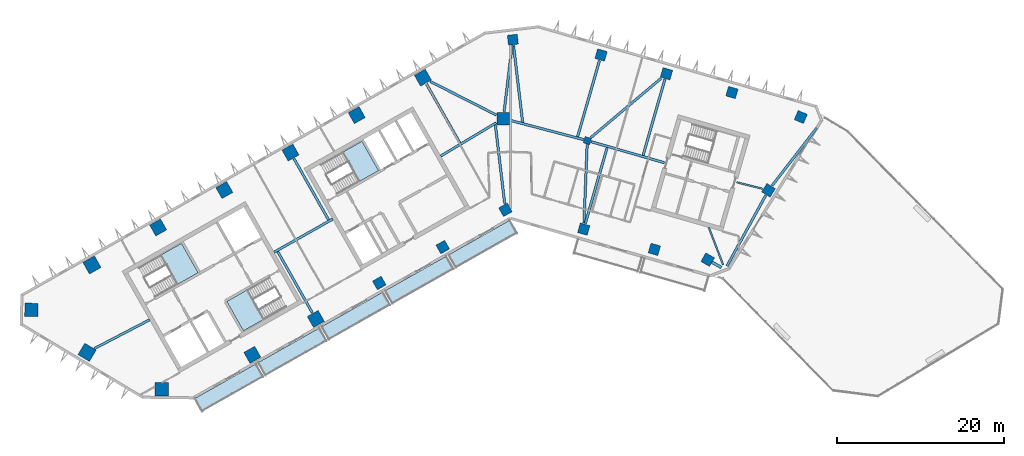
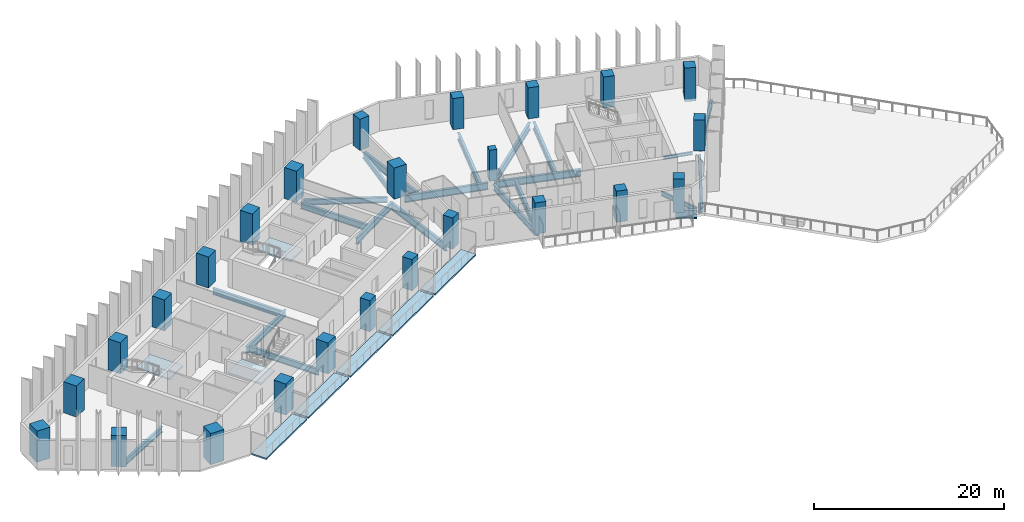
# One storey, part 1 of 12: 25 columns, 22 beams, 8 slabs, 3 elements without a shape of their own.
"""IFC4 building model written with IfcOpenShell, lengths in metres."""

from ifc_helpers import new_model, si_unit, direction, frame, origin, origin_2d, place, context, subcontext, project, spatial, polyline, rectangle, i_section, outline, extrude, material, layer, layer_set, material_profile, profile_set, type_object, element, aggregate, save


model = new_model("IFC4")

# Units and contexts
model_context = context("Model", 3, precision=1e-05, world=origin(), true_north=direction((0.0, 1.0)))
body_context = subcontext(model_context, "Body", "Model", "MODEL_VIEW")
ifc_project = project(units=[si_unit("LENGTHUNIT", "METRE"), si_unit("AREAUNIT", "SQUARE_METRE"), si_unit("VOLUMEUNIT", "CUBIC_METRE"), si_unit("PLANEANGLEUNIT", "RADIAN"), si_unit("MASSUNIT", "GRAM", prefix="KILO")], contexts=[model_context])

# Site, building, storey
site_placement = place(None, origin())
site = spatial("IfcSite", under=ifc_project, at=site_placement, CompositionType="ELEMENT")
building_placement = place(site_placement, origin())
building = spatial("IfcBuilding", under=site, at=building_placement, Name="Binnacle Exchange Tower", CompositionType="ELEMENT")
storey_placement = place(building_placement, frame((0.0, 0.0, 154.89990234375)))
storey = spatial("IfcBuildingStorey", under=building, at=storey_placement, Name="L32", CompositionType="ELEMENT", Elevation=154.89990234375)

# Columns
ifc_material_1 = material(Name="Concrete C60/75", Category="concrete")
ifc_material_profile_1 = material_profile(ifc_material_1, rectangle(XDim=0.800048828125, YDim=0.800048828125, at=origin_2d()), Name="Column 800x800 C60/75")
ifc_profile_set_1 = profile_set([ifc_material_profile_1], Name="Concrete C60/75")
column_type_1 = type_object("IfcColumnType", Name="Column 800x800 C60/75", PredefinedType="COLUMN", material=ifc_profile_set_1)
column_1_placement = place(storey_placement, frame((9.240966796875, 57.35009765625, 0.0), z_axis=(0.0, 0.0, 1.0), x_axis=(0.961261695938, -0.275637355817, 0.0)))
element("IfcColumn", 1, at=column_1_placement, inside=storey, type_object=column_type_1, Name="S:COL:C19:L32", PredefinedType="COLUMN", context=body_context, shape_type="SweptSolid", body=[
    extrude(rectangle(XDim=0.800048828125, YDim=0.800048828125, at=origin_2d()), origin(), (0.0, 0.0, 1.0), 4.0),
])
ifc_material_2 = material(Name="Concrete C70/85", Category="concrete")
ifc_material_profile_2 = material_profile(ifc_material_2, rectangle(XDim=1.199951171875, YDim=1.199951171875, at=origin_2d()), Name="Mega column 1200x1200 C70/85")
ifc_profile_set_2 = profile_set([ifc_material_profile_2], Name="Concrete C70/85")
column_type_2 = type_object("IfcColumnType", Name="Mega column 1200x1200 C70/85", PredefinedType="COLUMN", material=ifc_profile_set_2)
for number, where, z_axis, x_axis, name in (
    (2, (26.602783203125, 63.12353515625, 0.0), (0.0, 0.0, 1.0), (-0.961261695938, 0.275637355817, 0.0), "S:COL:MC52:L32"),
    (3, (18.746337890625, 65.376220703125, 0.0), (0.0, 0.0, 1.0), (-0.961261695938, 0.275637355817, 0.0), "S:COL:MC50:L32"),
    (4, (10.889892578125, 67.62890625, 0.0), (0.0, 0.0, 1.0), (-0.961261695938, 0.275637355817, 0.0), "S:COL:MC48:L32"),
    (5, (0.300048828125, 69.464111328125, 0.0), (0.0, 0.0, 1.0), (-0.993068456955, -0.117537397458, 0.0), "S:COL:MC47:L32"),
    (6, (-15.736328125, 40.257080078125, 0.0), (0.0, 0.0, 1.0), (0.87035569594, 0.492423560103, 0.0), "S:COL:MC24:L32"),
    (7, (-8.116943359375, 44.568115234375, 0.0), (0.0, 0.0, 1.0), (0.87035569594, 0.492423560103, 0.0), "S:COL:MC35:L32"),
    (8, (-0.5908203125, 49.04443359375, 0.0), (0.0, 0.0, 1.0), (0.87035569594, 0.492423560103, 0.0), "S:COL:MC46:L32"),
    (9, (8.8095703125, 46.722412109375, 0.0), (0.0, 0.0, 1.0), (0.961261695938, -0.275637355817, 0.0), "S:COL:MC49:L32"),
    (10, (17.2880859375, 44.291015625, 0.0), (0.0, 0.0, 1.0), (0.961261695938, -0.275637355817, 0.0), "S:COL:MC51:L32"),
):
    element("IfcColumn", number, at=place(storey_placement, frame(where, z_axis=z_axis, x_axis=x_axis)), inside=storey, type_object=column_type_2, Name=name, PredefinedType="COLUMN", context=body_context, shape_type="SweptSolid", body=[
        extrude(rectangle(XDim=1.199951171875, YDim=1.199951171875, at=origin_2d()), origin(), (0.0, 0.0, 1.0), 4.0),
    ])
column_2_placement = place(storey_placement, frame((23.690185546875, 43.062744140625, -0.31982421875), z_axis=(0.0, 0.0, 1.0), x_axis=(-0.86532642813, 0.501208711795, 0.0)))
element("IfcColumn", 11, at=column_2_placement, inside=storey, type_object=column_type_2, Name="S:COL:MC53:L32", PredefinedType="COLUMN", context=body_context, shape_type="SweptSolid", body=[
    extrude(rectangle(XDim=1.199951171875, YDim=1.199951171875, at=origin_2d()), origin(), (0.0, 0.0, 1.0), 4.31982421875),
])
column_3_placement = place(storey_placement, frame((30.989501953125, 51.38623046875, 0.0), z_axis=(0.0, 0.0, 1.0), x_axis=(0.529919264233, 0.848048096156, 0.0)))
element("IfcColumn", 12, at=column_3_placement, inside=storey, type_object=column_type_2, Name="S:COL:MC55:L32", PredefinedType="COLUMN", context=body_context, shape_type="SweptSolid", body=[
    extrude(rectangle(XDim=1.199951171875, YDim=1.199951171875, at=origin_2d()), origin(), (0.0, 0.0, 1.0), 4.0),
])
column_4_placement = place(storey_placement, frame((34.870361328125, 60.18701171875, -0.31982421875), z_axis=(0.0, 0.0, 1.0), x_axis=(-0.922814001807, 0.385245789164, 0.0)))
element("IfcColumn", 13, at=column_4_placement, inside=storey, type_object=column_type_2, Name="S:COL:MC54:L32", PredefinedType="COLUMN", context=body_context, shape_type="SweptSolid", body=[
    extrude(rectangle(XDim=1.199951171875, YDim=1.199951171875, at=origin_2d()), origin(), (0.0, 0.0, 1.0), 4.31982421875),
])
ifc_material_profile_3 = material_profile(ifc_material_2, rectangle(XDim=1.5, YDim=1.5, at=origin_2d()), Name="Mega column 1500x1500 C70/85")
ifc_profile_set_3 = profile_set([ifc_material_profile_3], Name="Concrete C70/85")
column_type_3 = type_object("IfcColumnType", Name="Mega column 1500x1500 C70/85", PredefinedType="COLUMN", material=ifc_profile_set_3)
for number, where, z_axis, x_axis, name in (
    (14, (-10.4951171875, 64.901611328125, 0.0), (0.0, 0.0, 1.0), (-0.87035569594, -0.492423560103, 0.0), "S:COL:MC38:L32"),
    (15, (-18.44140625, 60.406005859375, 0.0), (0.0, 0.0, 1.0), (-0.87035569594, -0.492423560103, 0.0), "S:COL:MC29:L32"),
    (16, (-26.3876953125, 55.91015625, 0.0), (0.0, 0.0, 1.0), (-0.87035569594, -0.492423560103, 0.0), "S:COL:MC21:L32"),
    (17, (-34.333740234375, 51.414306640625, 0.0), (0.0, 0.0, 1.0), (-0.87035569594, -0.492423560103, 0.0), "S:COL:MC13:L32"),
    (18, (-42.280029296875, 46.918701171875, 0.0), (0.0, 0.0, 1.0), (-0.87035569594, -0.492423560103, 0.0), "S:COL:MC08:L32"),
    (19, (-30.9755859375, 31.63525390625, 0.0), (0.0, 0.0, 1.0), (0.87035569594, 0.492423560103, 0.0), "S:COL:MC07:L32"),
    (20, (-23.35595703125, 35.9462890625, 0.0), (0.0, 0.0, 1.0), (0.87035569594, 0.492423560103, 0.0), "S:COL:MC16:L32"),
    (21, (-0.85009765625, 60.0, 0.0), (0.0, 0.0, 1.0), (0.0, 1.0, 0.0), "S:COL:MC45:L32"),
):
    element("IfcColumn", number, at=place(storey_placement, frame(where, z_axis=z_axis, x_axis=x_axis)), inside=storey, type_object=column_type_3, Name=name, PredefinedType="COLUMN", context=body_context, shape_type="SweptSolid", body=[
        extrude(rectangle(XDim=1.5, YDim=1.5, at=origin_2d()), origin(), (0.0, 0.0, 1.0), 4.0),
    ])
ifc_material_profile_4 = material_profile(ifc_material_2, rectangle(XDim=1.60009765625, YDim=1.60009765625, at=origin_2d()), Name="Mega column 1600x1600 C70/85")
ifc_profile_set_4 = profile_set([ifc_material_profile_4], Name="Concrete C70/85")
column_type_4 = type_object("IfcColumnType", Name="Mega column 1600x1600 C70/85", PredefinedType="COLUMN", material=ifc_profile_set_4)
for number, where, z_axis, x_axis, name in (
    (22, (-50.226318359375, 42.4228515625, 0.0), (0.0, 0.0, 1.0), (-0.87035569594, -0.492423560103, 0.0), "S:COL:MC04:L32"),
    (23, (-57.492919921875, 37.02734375, 0.0), (0.0, 0.0, 1.0), (-0.013089595571, -0.999914327574, 0.0), "S:COL:MC02:L32"),
    (24, (-50.81201171875, 31.930908203125, 0.0), (0.0, 0.0, 1.0), (0.857167300702, -0.51503807491, 0.0), "S:COL:MC01:L32"),
    (25, (-41.857666015625, 27.494873046875, 0.0), (0.0, 0.0, 1.0), (0.999914327574, -0.013089595571, 0.0), "S:COL:MC03:L32"),
):
    element("IfcColumn", number, at=place(storey_placement, frame(where, z_axis=z_axis, x_axis=x_axis)), inside=storey, type_object=column_type_4, Name=name, PredefinedType="COLUMN", context=body_context, shape_type="SweptSolid", body=[
        extrude(rectangle(XDim=1.60009765625, YDim=1.60009765625, at=origin_2d()), origin(), (0.0, 0.0, 1.0), 4.0),
    ])

# Beams
ifc_material_3 = material(Name="Steel S355 (SHN355)", Category="steel")
ifc_material_profile_5 = material_profile(ifc_material_3, i_section(OverallWidth=0.200927734375, OverallDepth=0.60595703125, WebThickness=0.011962890625, FlangeThickness=0.02001953125, FilletRadius=0.02197265625, at=origin_2d()), Name="H 606x201x12x20")
ifc_profile_set_5 = profile_set([ifc_material_profile_5], Name="Steel S355 (SHN355)")
beam_type_1 = type_object("IfcBeamType", Name="Floor beam H 606x201x12x20 Steel S355 (SHN355)", PredefinedType="BEAM", material=ifc_profile_set_5)
beam_1_placement = place(storey_placement, frame((25.54248046875, 42.4443359375, -0.622802734375), z_axis=(-0.358372589986, 0.933578645186, 0.0), x_axis=(-0.933578645186, -0.358372589986, 0.0)))
element("IfcBeam", 26, at=beam_1_placement, inside=storey, type_object=beam_type_1, Name="S:BM:cross:L32:022", PredefinedType="BEAM", context=body_context, shape_type="SweptSolid", body=[
    extrude(i_section(OverallWidth=0.200927734375, OverallDepth=0.60595703125, WebThickness=0.011962890625, FlangeThickness=0.02001953125, FilletRadius=0.02197265625, at=origin_2d()), origin(), (0.0, 0.0, 1.0), 4.802001953125),
])
ifc_material_profile_6 = material_profile(ifc_material_3, i_section(OverallWidth=0.302001953125, OverallDepth=0.80810546875, WebThickness=0.01611328125, FlangeThickness=0.030029296875, FilletRadius=0.028076171875, at=origin_2d()), Name="H 808x302x16x30")
ifc_profile_set_6 = profile_set([ifc_material_profile_6], Name="Steel S355 (SHN355)")
beam_type_2 = type_object("IfcBeamType", Name="Floor beam H 808x302x16x30 Steel S355 (SHN355)", PredefinedType="BEAM", material=ifc_profile_set_6)
for number, where, z_axis, x_axis, name in (
    (27, (-25.968994140625, 55.17041015625, -0.723876953125), (0.492409177884, -0.870363832851, 0.0), (0.870363832851, 0.492409177884, 0.0), "S:BM:cross:L32:014"),
    (28, (-23.774658203125, 36.68603515625, -0.723876953125), (-0.492409177884, 0.870363832851, 0.0), (-0.870363832851, -0.492409177884, 0.0), "S:BM:cross:L32:015"),
):
    element("IfcBeam", number, at=place(storey_placement, frame(where, z_axis=z_axis, x_axis=x_axis)), inside=storey, type_object=beam_type_2, Name=name, PredefinedType="BEAM", context=body_context, shape_type="SweptSolid", body=[
        extrude(i_section(OverallWidth=0.302001953125, OverallDepth=0.80810546875, WebThickness=0.01611328125, FlangeThickness=0.030029296875, FilletRadius=0.028076171875, at=origin_2d()), origin(), (0.0, 0.0, 1.0), 8.43408203125),
    ])
beam_2_placement = place(storey_placement, frame((-10.076416015625, 64.161865234375, -0.723876953125), z_axis=(0.492410737926, -0.870362950254, 0.0), x_axis=(0.870362950254, 0.492410737926, 0.0)))
element("IfcBeam", 29, at=beam_2_placement, inside=storey, type_object=beam_type_2, Name="S:BM:cross:L32:016", PredefinedType="BEAM", context=body_context, shape_type="SweptSolid", body=[
    extrude(i_section(OverallWidth=0.302001953125, OverallDepth=0.80810546875, WebThickness=0.01611328125, FlangeThickness=0.030029296875, FilletRadius=0.028076171875, at=origin_2d()), origin(), (0.0, 0.0, 1.0), 8.16943359375),
])
ifc_material_profile_7 = material_profile(ifc_material_3, i_section(OverallWidth=0.302001953125, OverallDepth=0.912109375, WebThickness=0.01806640625, FlangeThickness=0.033935546875, FilletRadius=0.028076171875, at=origin_2d()), Name="H 912x302x18x34")
ifc_profile_set_7 = profile_set([ifc_material_profile_7], Name="Steel S355 (SHN355)")
beam_type_3 = type_object("IfcBeamType", Name="Floor beam H 912x302x18x34 Steel S355 (SHN355)", PredefinedType="BEAM", material=ifc_profile_set_7)
beam_3_placement = place(storey_placement, frame((-0.68017578125, 49.79833984375, -0.77587890625), z_axis=(-0.11752294526, 0.993070167379, 0.0), x_axis=(-0.993070167379, -0.11752294526, 0.0)))
element("IfcBeam", 30, at=beam_3_placement, inside=storey, type_object=beam_type_3, Name="S:BM:cross:L32:017", PredefinedType="BEAM", context=body_context, shape_type="SweptSolid", body=[
    extrude(i_section(OverallWidth=0.302001953125, OverallDepth=0.912109375, WebThickness=0.01806640625, FlangeThickness=0.033935546875, FilletRadius=0.028076171875, at=origin_2d()), origin(), (0.0, 0.0, 1.0), 9.537353515625),
])
beam_4_placement = place(storey_placement, frame((0.38232421875, 68.76904296875, -0.77587890625), z_axis=(0.117557103339, -0.993066124412, 0.0), x_axis=(0.993066124412, 0.117557103339, 0.0)))
element("IfcBeam", 31, at=beam_4_placement, inside=storey, type_object=beam_type_3, Name="S:BM:cross:L32:018", PredefinedType="BEAM", context=body_context, shape_type="SweptSolid", body=[
    extrude(i_section(OverallWidth=0.302001953125, OverallDepth=0.912109375, WebThickness=0.01806640625, FlangeThickness=0.033935546875, FilletRadius=0.028076171875, at=origin_2d()), origin(), (0.0, 0.0, 1.0), 9.2998046875),
])
beam_5_placement = place(storey_placement, frame((9.00244140625, 47.395263671875, -0.77587890625), z_axis=(0.275642274849, 0.961260285415, 0.0), x_axis=(-0.961260285415, 0.275642274849, 0.0)))
element("IfcBeam", 32, at=beam_5_placement, inside=storey, type_object=beam_type_3, Name="S:BM:cross:L32:019", PredefinedType="BEAM", context=body_context, shape_type="SweptSolid", body=[
    extrude(i_section(OverallWidth=0.302001953125, OverallDepth=0.912109375, WebThickness=0.01806640625, FlangeThickness=0.033935546875, FilletRadius=0.028076171875, at=origin_2d()), origin(), (0.0, 0.0, 1.0), 9.485107421875),
])
beam_6_placement = place(storey_placement, frame((10.697021484375, 66.9560546875, -0.77587890625), z_axis=(-0.27562260808, -0.961265924661, 0.0), x_axis=(0.961265924661, -0.27562260808, 0.0)))
element("IfcBeam", 33, at=beam_6_placement, inside=storey, type_object=beam_type_3, Name="S:BM:cross:L32:020", PredefinedType="BEAM", context=body_context, shape_type="SweptSolid", body=[
    extrude(i_section(OverallWidth=0.302001953125, OverallDepth=0.912109375, WebThickness=0.01806640625, FlangeThickness=0.033935546875, FilletRadius=0.028076171875, at=origin_2d()), origin(), (0.0, 0.0, 1.0), 9.51318359375),
])
beam_7_placement = place(storey_placement, frame((18.553466796875, 64.703369140625, -0.77587890625), z_axis=(-0.275642274849, -0.961260285415, 0.0), x_axis=(0.961260285415, -0.275642274849, 0.0)))
element("IfcBeam", 34, at=beam_7_placement, inside=storey, type_object=beam_type_3, Name="S:BM:cross:L32:021", PredefinedType="BEAM", context=body_context, shape_type="SweptSolid", body=[
    extrude(i_section(OverallWidth=0.302001953125, OverallDepth=0.912109375, WebThickness=0.01806640625, FlangeThickness=0.033935546875, FilletRadius=0.028076171875, at=origin_2d()), origin(), (0.0, 0.0, 1.0), 9.485107421875),
])
ifc_material_profile_8 = material_profile(ifc_material_3, i_section(OverallWidth=0.199951171875, OverallDepth=0.39990234375, WebThickness=0.008056640625, FlangeThickness=0.012939453125, FilletRadius=0.01611328125, at=origin_2d()), Name="H 400x200x8x13")
ifc_profile_set_8 = profile_set([ifc_material_profile_8], Name="Steel S355 (SHN355)")
beam_type_4 = type_object("IfcBeamType", Name="Spine girder H 400x200x8x13 Steel S355 (SHN355)", PredefinedType="BEAM", material=ifc_profile_set_8)
beam_8_placement = place(storey_placement, frame((27.17138671875, 52.35400390625, -0.52001953125), z_axis=(0.969348404361, -0.245690193055, 0.0), x_axis=(0.245690193055, 0.969348404361, 0.0)))
element("IfcBeam", 35, at=beam_8_placement, inside=storey, type_object=beam_type_4, Name="S:BM:spine:L32:011", PredefinedType="BEAM", context=body_context, shape_type="SweptSolid", body=[
    extrude(i_section(OverallWidth=0.199951171875, OverallDepth=0.39990234375, WebThickness=0.008056640625, FlangeThickness=0.012939453125, FilletRadius=0.01611328125, at=origin_2d()), origin(), (0.0, 0.0, 1.0), 3.20361328125),
])
ifc_material_profile_9 = material_profile(ifc_material_3, i_section(OverallWidth=0.300048828125, OverallDepth=0.699951171875, WebThickness=0.012939453125, FlangeThickness=0.02392578125, FilletRadius=0.028076171875, at=origin_2d()), Name="H 700x300x13x24")
ifc_profile_set_9 = profile_set([ifc_material_profile_9], Name="Steel S355 (SHN355)")
beam_type_5 = type_object("IfcBeamType", Name="Spine girder H 700x300x13x24 Steel S355 (SHN355)", PredefinedType="BEAM", material=ifc_profile_set_9)
beam_9_placement = place(storey_placement, frame((-49.927734375, 32.391357421875, -0.669921875), z_axis=(0.886979965344, 0.461807904954, 0.0), x_axis=(-0.461807904954, 0.886979965344, 0.0)))
element("IfcBeam", 36, at=beam_9_placement, inside=storey, type_object=beam_type_5, Name="S:BM:spine:L32:002", PredefinedType="BEAM", context=body_context, shape_type="SweptSolid", body=[
    extrude(i_section(OverallWidth=0.300048828125, OverallDepth=0.699951171875, WebThickness=0.012939453125, FlangeThickness=0.02392578125, FilletRadius=0.028076171875, at=origin_2d()), origin(), (0.0, 0.0, 1.0), 7.463623046875),
])
beam_10_placement = place(storey_placement, frame((-0.74658203125, 60.85009765625, -0.669921875), z_axis=(0.120612669289, 0.992699644408, 0.0), x_axis=(-0.992699644408, 0.120612669289, 0.0)))
element("IfcBeam", 37, at=beam_10_placement, inside=storey, type_object=beam_type_5, Name="S:BM:spine:L32:006", PredefinedType="BEAM", context=body_context, shape_type="SweptSolid", body=[
    extrude(i_section(OverallWidth=0.300048828125, OverallDepth=0.699951171875, WebThickness=0.012939453125, FlangeThickness=0.02392578125, FilletRadius=0.028076171875, at=origin_2d()), origin(), (0.0, 0.0, 1.0), 7.95703125),
])
ifc_material_profile_10 = material_profile(ifc_material_3, i_section(OverallWidth=0.302001953125, OverallDepth=0.7080078125, WebThickness=0.014892578125, FlangeThickness=0.028076171875, FilletRadius=0.028076171875, at=origin_2d()), Name="H 708x302x15x28")
ifc_profile_set_10 = profile_set([ifc_material_profile_10], Name="Steel S355 (SHN355)")
beam_type_6 = type_object("IfcBeamType", Name="Spine girder H 708x302x15x28 Steel S355 (SHN355)", PredefinedType="BEAM", material=ifc_profile_set_10)
beam_11_placement = place(storey_placement, frame((-1.699951171875, 60.431884765625, -0.673828125), z_axis=(-0.891471296315, 0.45307717648, 0.0), x_axis=(-0.45307717648, -0.891471296315, 0.0)))
element("IfcBeam", 38, at=beam_11_placement, inside=storey, type_object=beam_type_6, Name="S:BM:spine:L32:005", PredefinedType="BEAM", context=body_context, shape_type="SweptSolid", body=[
    extrude(i_section(OverallWidth=0.302001953125, OverallDepth=0.7080078125, WebThickness=0.014892578125, FlangeThickness=0.028076171875, FilletRadius=0.028076171875, at=origin_2d()), origin(), (0.0, 0.0, 1.0), 8.845703125),
])
beam_12_placement = place(storey_placement, frame((31.420166015625, 51.942626953125, -0.673828125), z_axis=(0.612026899111, 0.790836945751, 0.0), x_axis=(-0.790836945751, 0.612026899111, 0.0)))
element("IfcBeam", 39, at=beam_12_placement, inside=storey, type_object=beam_type_6, Name="S:BM:spine:L32:013", PredefinedType="BEAM", context=body_context, shape_type="SweptSolid", body=[
    extrude(i_section(OverallWidth=0.302001953125, OverallDepth=0.7080078125, WebThickness=0.014892578125, FlangeThickness=0.028076171875, FilletRadius=0.028076171875, at=origin_2d()), origin(), (0.0, 0.0, 1.0), 8.751953125),
])
ifc_material_profile_11 = material_profile(ifc_material_3, i_section(OverallWidth=0.300048828125, OverallDepth=0.800048828125, WebThickness=0.013916015625, FlangeThickness=0.02587890625, FilletRadius=0.028076171875, at=origin_2d()), Name="H 800x300x14x26")
ifc_profile_set_11 = profile_set([ifc_material_profile_11], Name="Steel S355 (SHN355)")
beam_type_7 = type_object("IfcBeamType", Name="Spine girder H 800x300x14x26 Steel S355 (SHN355)", PredefinedType="BEAM", material=ifc_profile_set_11)
beam_13_placement = place(storey_placement, frame((9.22216796875, 56.887451171875, -0.719970703125), z_axis=(-0.040573469093, -0.999176557774, 0.0), x_axis=(0.999176557774, -0.040573469093, 0.0)))
element("IfcBeam", 40, at=beam_13_placement, inside=storey, type_object=beam_type_7, Name="S:BM:spine:L32:008", PredefinedType="BEAM", context=body_context, shape_type="SweptSolid", body=[
    extrude(i_section(OverallWidth=0.300048828125, OverallDepth=0.800048828125, WebThickness=0.013916015625, FlangeThickness=0.02587890625, FilletRadius=0.028076171875, at=origin_2d()), origin(), (0.0, 0.0, 1.0), 9.453125),
])
ifc_material_profile_12 = material_profile(ifc_material_3, i_section(OverallWidth=0.302001953125, OverallDepth=0.80810546875, WebThickness=0.01611328125, FlangeThickness=0.030029296875, FilletRadius=0.028076171875, at=origin_2d()), Name="H 808x302x16x30")
ifc_profile_set_12 = profile_set([ifc_material_profile_12], Name="Steel S355 (SHN355)")
beam_type_8 = type_object("IfcBeamType", Name="Spine girder H 808x302x16x30 Steel S355 (SHN355)", PredefinedType="BEAM", material=ifc_profile_set_12)
beam_14_placement = place(storey_placement, frame((-28.365478515625, 43.951416015625, -0.723876953125), z_axis=(0.870350319004, 0.492433063684, 0.0), x_axis=(-0.492433063684, 0.870350319004, 0.0)))
element("IfcBeam", 41, at=beam_14_placement, inside=storey, type_object=beam_type_8, Name="S:BM:spine:L32:003", PredefinedType="BEAM", context=body_context, shape_type="SweptSolid", body=[
    extrude(i_section(OverallWidth=0.302001953125, OverallDepth=0.80810546875, WebThickness=0.01611328125, FlangeThickness=0.030029296875, FilletRadius=0.028076171875, at=origin_2d()), origin(), (0.0, 0.0, 1.0), 8.0908203125),
])
beam_15_placement = place(storey_placement, frame((-8.36328125, 55.489990234375, -0.723876953125), z_axis=(0.857393122678, 0.514662057261, 0.0), x_axis=(-0.514662057261, 0.857393122678, 0.0)))
element("IfcBeam", 42, at=beam_15_placement, inside=storey, type_object=beam_type_8, Name="S:BM:spine:L32:004", PredefinedType="BEAM", context=body_context, shape_type="SweptSolid", body=[
    extrude(i_section(OverallWidth=0.302001953125, OverallDepth=0.80810546875, WebThickness=0.01611328125, FlangeThickness=0.030029296875, FilletRadius=0.028076171875, at=origin_2d()), origin(), (0.0, 0.0, 1.0), 7.771728515625),
])
beam_16_placement = place(storey_placement, frame((30.65234375, 50.771484375, -0.723876953125), z_axis=(-0.480722811784, -0.876872612316, 0.0), x_axis=(0.876872612316, -0.480722811784, 0.0)))
element("IfcBeam", 43, at=beam_16_placement, inside=storey, type_object=beam_type_8, Name="S:BM:spine:L32:012", PredefinedType="BEAM", context=body_context, shape_type="SweptSolid", body=[
    extrude(i_section(OverallWidth=0.302001953125, OverallDepth=0.80810546875, WebThickness=0.01611328125, FlangeThickness=0.030029296875, FilletRadius=0.028076171875, at=origin_2d()), origin(), (0.0, 0.0, 1.0), 9.650390625),
])
ifc_material_profile_13 = material_profile(ifc_material_3, i_section(OverallWidth=0.302001953125, OverallDepth=0.912109375, WebThickness=0.01806640625, FlangeThickness=0.033935546875, FilletRadius=0.028076171875, at=origin_2d()), Name="H 912x302x18x34")
ifc_profile_set_13 = profile_set([ifc_material_profile_13], Name="Steel S355 (SHN355)")
beam_type_9 = type_object("IfcBeamType", Name="Spine girder H 912x302x18x34 Steel S355 (SHN355)", PredefinedType="BEAM", material=ifc_profile_set_13)
beam_17_placement = place(storey_placement, frame((0.0, 59.77685546875, -0.77587890625), z_axis=(0.967208488002, -0.253983741089, 0.0), x_axis=(0.253983741089, 0.967208488002, 0.0)))
element("IfcBeam", 44, at=beam_17_placement, inside=storey, type_object=beam_type_9, Name="S:BM:spine:L32:007", PredefinedType="BEAM", context=body_context, shape_type="SweptSolid", body=[
    extrude(i_section(OverallWidth=0.302001953125, OverallDepth=0.912109375, WebThickness=0.01806640625, FlangeThickness=0.033935546875, FilletRadius=0.028076171875, at=origin_2d()), origin(), (0.0, 0.0, 1.0), 9.10400390625),
])
beam_18_placement = place(storey_placement, frame((9.65478515625, 57.69970703125, -0.77587890625), z_axis=(0.764067648684, 0.645136131552, 0.0), x_axis=(-0.645136131552, 0.764067648684, 0.0)))
element("IfcBeam", 45, at=beam_18_placement, inside=storey, type_object=beam_type_9, Name="S:BM:spine:L32:009", PredefinedType="BEAM", context=body_context, shape_type="SweptSolid", body=[
    extrude(i_section(OverallWidth=0.302001953125, OverallDepth=0.912109375, WebThickness=0.01806640625, FlangeThickness=0.033935546875, FilletRadius=0.028076171875, at=origin_2d()), origin(), (0.0, 0.0, 1.0), 11.056396484375),
])
beam_19_placement = place(storey_placement, frame((9.673583984375, 57.226318359375, -0.77587890625), z_axis=(0.961256048299, -0.275657050715, 0.0), x_axis=(0.275657050715, 0.961256048299, 0.0)))
element("IfcBeam", 46, at=beam_19_placement, inside=storey, type_object=beam_type_9, Name="S:BM:spine:L32:010", PredefinedType="BEAM", context=body_context, shape_type="SweptSolid", body=[
    extrude(i_section(OverallWidth=0.302001953125, OverallDepth=0.912109375, WebThickness=0.01806640625, FlangeThickness=0.033935546875, FilletRadius=0.028076171875, at=origin_2d()), origin(), (0.0, 0.0, 1.0), 9.1630859375),
])
ifc_material_4 = material(Name="Steel S355 (SM355)", Category="steel")
ifc_material_profile_14 = material_profile(ifc_material_4, i_section(OverallWidth=0.35009765625, OverallDepth=1.10009765625, WebThickness=0.02001953125, FlangeThickness=0.035888671875, at=origin_2d()), Name="BH 1100x350x20x36")
ifc_profile_set_14 = profile_set([ifc_material_profile_14], Name="Steel S355 (SM355)")
beam_type_10 = type_object("IfcBeamType", Name="Transfer girder BH 1100x350x20x36 Steel S355 (SM355)", PredefinedType="BEAM", material=ifc_profile_set_14)
beam_20_placement = place(storey_placement, frame((25.32080078125, 42.1181640625, -0.869873046875), z_axis=(-0.865343988334, 0.501178393243, 0.0), x_axis=(-0.501178393243, -0.865343988334, 0.0)))
element("IfcBeam", 47, at=beam_20_placement, inside=storey, type_object=beam_type_10, Name="S:BM:transfer:L32:001", PredefinedType="BEAM", context=body_context, shape_type="SweptSolid", body=[
    extrude(i_section(OverallWidth=0.35009765625, OverallDepth=1.10009765625, WebThickness=0.02001953125, FlangeThickness=0.035888671875, at=origin_2d()), origin(), (0.0, 0.0, 1.0), 2.234375),
])

# Slabs
ifc_material_5 = material(Name="Concrete C35/45", Category="concrete")
ifc_layer_1 = layer(ifc_material_5, 0.199951171875)
ifc_layer_set_1 = layer_set([ifc_layer_1], Name="BALCONY SLAB 200")
slab_type_1 = type_object("IfcSlabType", Name="BALCONY SLAB 200", PredefinedType="FLOOR", material=ifc_layer_set_1)
slab_1_placement = place(storey_placement, frame((0.0, 0.0, -0.199951171875)))
element("IfcSlab", 48, at=slab_1_placement, inside=storey, type_object=slab_type_1, Name="Balcony BA-G01-00 L32", PredefinedType="FLOOR", context=body_context, shape_type="SweptSolid", body=[
    extrude(outline(polyline([(-37.893310546875, 26.388671875), (-30.534912109375, 30.5517578125), (-29.648681640625, 28.985107421875), (-37.007080078125, 24.822021484375), (-37.893310546875, 26.388671875)])), origin(), (0.0, 0.0, 1.0), 0.199951171875),
])
slab_2_placement = place(storey_placement, frame((0.0, 0.0, -0.199951171875)))
element("IfcSlab", 49, at=slab_2_placement, inside=storey, type_object=slab_type_1, Name="Balcony BA-G01-01 L32", PredefinedType="FLOOR", context=body_context, shape_type="SweptSolid", body=[
    extrude(outline(polyline([(-30.27392578125, 30.699462890625), (-22.915283203125, 34.86279296875), (-22.029052734375, 33.296142578125), (-29.387451171875, 29.1328125), (-30.27392578125, 30.699462890625)])), origin(), (0.0, 0.0, 1.0), 0.199951171875),
])
slab_3_placement = place(storey_placement, frame((0.0, 0.0, -0.199951171875)))
element("IfcSlab", 50, at=slab_3_placement, inside=storey, type_object=slab_type_1, Name="Balcony BA-G01-02 L32", PredefinedType="FLOOR", context=body_context, shape_type="SweptSolid", body=[
    extrude(outline(polyline([(-22.654296875, 35.010498046875), (-15.2958984375, 39.173583984375), (-14.409423828125, 37.607177734375), (-21.767822265625, 33.44384765625), (-22.654296875, 35.010498046875)])), origin(), (0.0, 0.0, 1.0), 0.199951171875),
])
slab_4_placement = place(storey_placement, frame((0.0, 0.0, -0.199951171875)))
element("IfcSlab", 51, at=slab_4_placement, inside=storey, type_object=slab_type_1, Name="Balcony BA-G01-03 L32", PredefinedType="FLOOR", context=body_context, shape_type="SweptSolid", body=[
    extrude(outline(polyline([(-15.03466796875, 39.3212890625), (-7.67626953125, 43.484619140625), (-6.789794921875, 41.91796875), (-14.148193359375, 37.7548828125), (-15.03466796875, 39.3212890625)])), origin(), (0.0, 0.0, 1.0), 0.199951171875),
])
slab_5_placement = place(storey_placement, frame((0.0, 0.0, -0.199951171875)))
element("IfcSlab", 52, at=slab_5_placement, inside=storey, type_object=slab_type_1, Name="Balcony BA-G01-04 L32", PredefinedType="FLOOR", context=body_context, shape_type="SweptSolid", body=[
    extrude(outline(polyline([(-7.4150390625, 43.63232421875), (-0.056640625, 47.795654296875), (0.82958984375, 46.22900390625), (-6.52880859375, 42.06591796875), (-7.4150390625, 43.63232421875)])), origin(), (0.0, 0.0, 1.0), 0.199951171875),
])

# Stair, slab
stair_type = type_object("IfcStairType", Name="STAIR 24 RISERS 167", PredefinedType="HALF_TURN_STAIR", material=ifc_material_5)
stair_1_placement = place(storey_placement, origin())
stair_1 = element("IfcStair", 53, at=stair_1_placement, inside=storey, type_object=stair_type, Name="L32 Escape stair A1", PredefinedType="HALF_TURN_STAIR")
ifc_layer_2 = layer(ifc_material_5, 0.199951171875)
ifc_layer_set_2 = layer_set([ifc_layer_2], Name="STAIR LANDING 200")
slab_type_2 = type_object("IfcSlabType", Name="STAIR LANDING 200", PredefinedType="LANDING", material=ifc_layer_set_2)
slab_6_placement = place(storey_placement, frame((0.0, 0.0, 1.800048828125)))
slab_6 = element("IfcSlab", 54, at=slab_6_placement, type_object=slab_type_2, Name="STA1 landing 1", PredefinedType="LANDING", context=body_context, shape_type="SweptSolid", body=[
    extrude(outline(polyline([(-39.958251953125, 40.0927734375), (-37.486572265625, 41.4912109375), (-39.48095703125, 45.01611328125), (-41.95263671875, 43.61767578125), (-39.958251953125, 40.0927734375)])), origin(), (0.0, 0.0, 1.0), 0.199951171875),
])
aggregate(stair_1, [slab_6])

stair_2_placement = place(storey_placement, origin())
stair_2 = element("IfcStair", 55, at=stair_2_placement, inside=storey, type_object=stair_type, Name="L32 Escape stair A2", PredefinedType="HALF_TURN_STAIR")
slab_7_placement = place(storey_placement, frame((0.0, 0.0, 1.800048828125)))
slab_7 = element("IfcSlab", 56, at=slab_7_placement, type_object=slab_type_2, Name="STA2 landing 1", PredefinedType="LANDING", context=body_context, shape_type="SweptSolid", body=[
    extrude(outline(polyline([(-31.56884765625, 39.439208984375), (-34.040771484375, 38.04052734375), (-32.04638671875, 34.515625), (-29.574462890625, 35.9140625), (-31.56884765625, 39.439208984375)])), origin(), (0.0, 0.0, 1.0), 0.199951171875),
])
aggregate(stair_2, [slab_7])

stair_3_placement = place(storey_placement, origin())
stair_3 = element("IfcStair", 57, at=stair_3_placement, inside=storey, type_object=stair_type, Name="L32 Escape stair C1", PredefinedType="HALF_TURN_STAIR")
slab_8_placement = place(storey_placement, frame((0.0, 0.0, 1.800048828125)))
slab_8 = element("IfcSlab", 58, at=slab_8_placement, type_object=slab_type_2, Name="STC1 landing 1", PredefinedType="LANDING", context=body_context, shape_type="SweptSolid", body=[
    extrude(outline(polyline([(-18.120361328125, 52.447998046875), (-15.822509765625, 53.748046875), (-17.81689453125, 57.27294921875), (-20.11474609375, 55.972900390625), (-18.120361328125, 52.447998046875)])), origin(), (0.0, 0.0, 1.0), 0.199951171875),
])
aggregate(stair_3, [slab_8])

save(model, "model.ifc")
